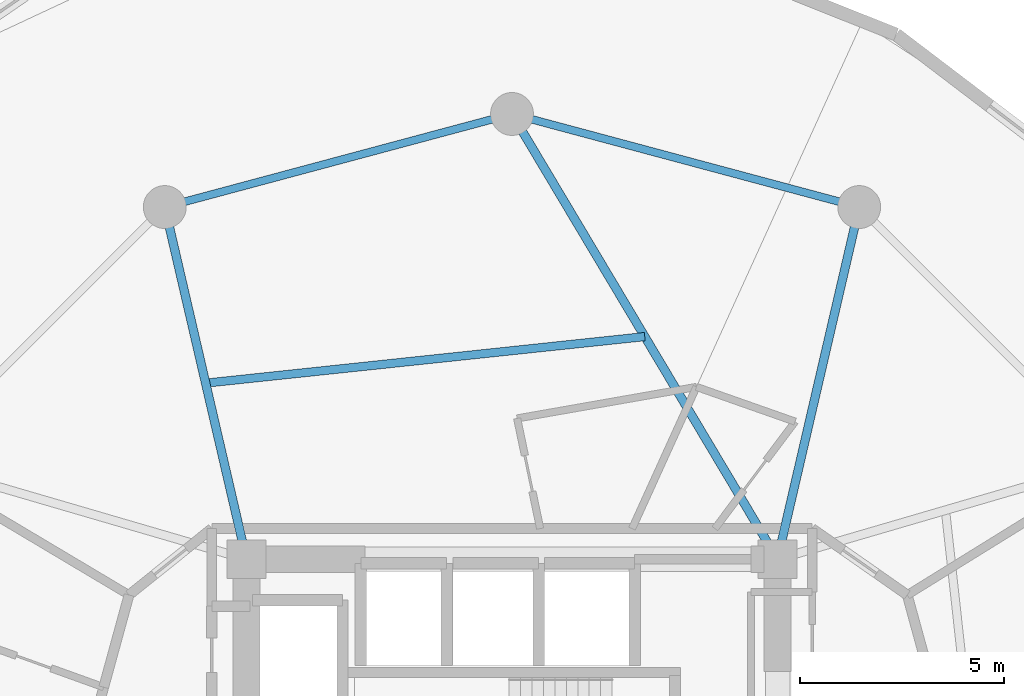
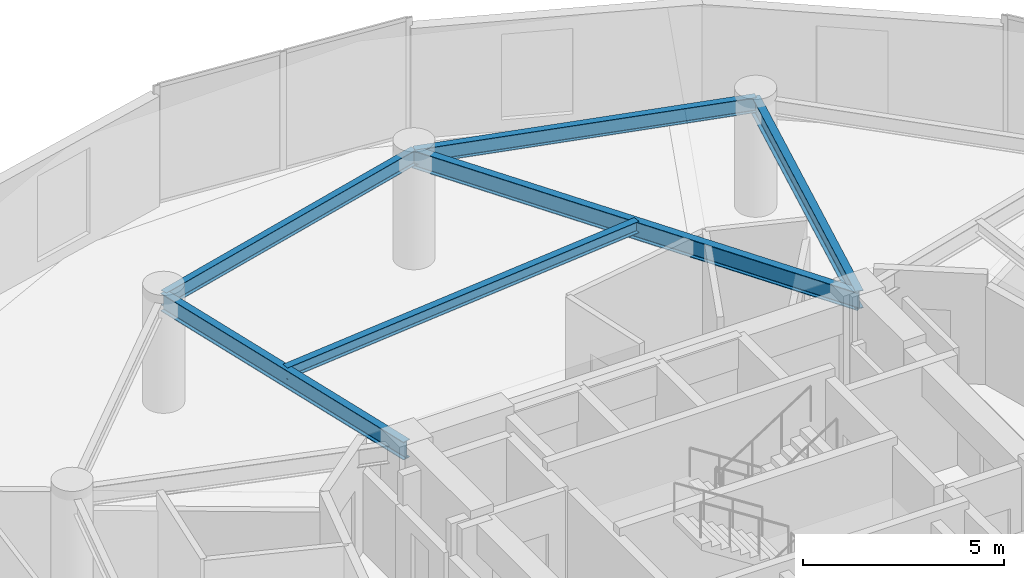
# One storey, part 14 of 22: 6 beams.
"""IFC4 building model written with IfcOpenShell, lengths in metres."""

from ifc_helpers import new_model, si_unit, direction, frame, origin, origin_2d, place, context, subcontext, project, spatial, i_section, extrude, material, material_profile, profile_set, type_object, element, save


model = new_model("IFC4")

# Units and contexts
model_context = context("Model", 3, precision=1e-05, world=origin(), true_north=direction((0.0, 1.0)))
body_context = subcontext(model_context, "Body", "Model", "MODEL_VIEW")
ifc_project = project(units=[si_unit("LENGTHUNIT", "METRE"), si_unit("AREAUNIT", "SQUARE_METRE"), si_unit("VOLUMEUNIT", "CUBIC_METRE"), si_unit("PLANEANGLEUNIT", "RADIAN"), si_unit("MASSUNIT", "GRAM", prefix="KILO")], contexts=[model_context])

# Site, building, storey
site_placement = place(None, origin())
site = spatial("IfcSite", under=ifc_project, at=site_placement, CompositionType="ELEMENT")
building_placement = place(site_placement, origin())
building = spatial("IfcBuilding", under=site, at=building_placement, Name="Solvirekh Grand Hotel", CompositionType="ELEMENT")
storey_placement = place(building_placement, frame((0.0, 0.0, 145.800048828125)))
storey = spatial("IfcBuildingStorey", under=building, at=storey_placement, Name="L37", CompositionType="ELEMENT", Elevation=145.800048828125)

# Beams
ifc_material = material(Name="Steel S355", Category="steel")
ifc_material_profile_1 = material_profile(ifc_material, i_section(OverallWidth=0.2119140625, OverallDepth=0.5439453125, WebThickness=0.011962890625, FlangeThickness=0.01904296875, FilletRadius=0.013916015625, at=origin_2d()), Name="W530X123")
ifc_profile_set_1 = profile_set([ifc_material_profile_1], Name="Steel S355")
beam_type_1 = type_object("IfcBeamType", Name="Beam_Radial_W530H", PredefinedType="BEAM", material=ifc_profile_set_1)
beam_1_placement = place(storey_placement, frame((6.5, 6.10009765625, 3.077880859375), z_axis=(0.225969390542, 0.974134402707, 0.0), x_axis=(-0.974134402707, 0.225969390542, 0.0)))
element("IfcBeam", 1, at=beam_1_placement, inside=storey, type_object=beam_type_1, Name="L37 radial floor beam R03", PredefinedType="BEAM", context=body_context, shape_type="SweptSolid", body=[
    extrude(i_section(OverallWidth=0.2119140625, OverallDepth=0.5439453125, WebThickness=0.011962890625, FlangeThickness=0.01904296875, FilletRadius=0.013916015625, at=origin_2d()), origin(), (0.0, 0.0, 1.0), 8.850830078125),
])
beam_2_placement = place(storey_placement, frame((6.5, 6.10009765625, 3.077880859375), z_axis=(-0.512179721377, 0.858878299301, 0.0), x_axis=(-0.858878299301, -0.512179721377, 0.0)))
element("IfcBeam", 2, at=beam_2_placement, inside=storey, type_object=beam_type_1, Name="L37 radial floor beam R04", PredefinedType="BEAM", context=body_context, shape_type="SweptSolid", body=[
    extrude(i_section(OverallWidth=0.2119140625, OverallDepth=0.5439453125, WebThickness=0.011962890625, FlangeThickness=0.01904296875, FilletRadius=0.013916015625, at=origin_2d()), origin(), (0.0, 0.0, 1.0), 12.69091796875),
])
beam_3_placement = place(storey_placement, frame((-6.5, 6.10009765625, 3.077880859375), z_axis=(-0.225969390542, 0.974134402707, 0.0), x_axis=(-0.974134402707, -0.225969390542, 0.0)))
element("IfcBeam", 3, at=beam_3_placement, inside=storey, type_object=beam_type_1, Name="L37 radial floor beam R05", PredefinedType="BEAM", context=body_context, shape_type="SweptSolid", body=[
    extrude(i_section(OverallWidth=0.2119140625, OverallDepth=0.5439453125, WebThickness=0.011962890625, FlangeThickness=0.01904296875, FilletRadius=0.013916015625, at=origin_2d()), origin(), (0.0, 0.0, 1.0), 8.850830078125),
])
ifc_material_profile_2 = material_profile(ifc_material, i_section(OverallWidth=0.2041015625, OverallDepth=0.35009765625, WebThickness=0.009033203125, FlangeThickness=0.014892578125, FilletRadius=0.010986328125, at=origin_2d()), Name="W360X72")
ifc_profile_set_2 = profile_set([ifc_material_profile_2], Name="Steel S355")
beam_type_2 = type_object("IfcBeamType", Name="Joist_Floor_W360", PredefinedType="JOIST", material=ifc_profile_set_2)
beam_4_placement = place(storey_placement, frame((3.25, 11.550048828125, 3.175048828125), z_axis=(-0.994432198761, -0.105378375714, 0.0), x_axis=(0.105378375714, -0.994432198761, 0.0)))
element("IfcBeam", 4, at=beam_4_placement, inside=storey, type_object=beam_type_2, Name="L37 secondary composite floor joist 4", PredefinedType="JOIST", context=body_context, shape_type="SweptSolid", body=[
    extrude(i_section(OverallWidth=0.2041015625, OverallDepth=0.35009765625, WebThickness=0.009033203125, FlangeThickness=0.014892578125, FilletRadius=0.010986328125, at=origin_2d()), origin(), (0.0, 0.0, 1.0), 10.810302734375),
])
ifc_material_profile_3 = material_profile(ifc_material, i_section(OverallWidth=0.18994140625, OverallDepth=0.45703125, WebThickness=0.009033203125, FlangeThickness=0.013916015625, FilletRadius=0.012939453125, at=origin_2d()), Name="W460X74")
ifc_profile_set_3 = profile_set([ifc_material_profile_3], Name="Steel S355")
beam_type_3 = type_object("IfcBeamType", Name="Spandrel_Ring_W460", PredefinedType="SPANDREL", material=ifc_profile_set_3)
for number, where, z_axis, x_axis, name in (
    (5, (8.5, 14.721923828125, 3.1220703125), (-0.965911391906, 0.258872908946, 0.0), (-0.258872908946, -0.965911391906, 0.0), "L37 perimeter spandrel beam 3"),
    (6, (0.0, 17.0, 3.1220703125), (-0.965911391906, -0.258872908946, 0.0), (0.258872908946, -0.965911391906, 0.0), "L37 perimeter spandrel beam 4"),
):
    element("IfcBeam", number, at=place(storey_placement, frame(where, z_axis=z_axis, x_axis=x_axis)), inside=storey, type_object=beam_type_3, Name=name, PredefinedType="SPANDREL", context=body_context, shape_type="SweptSolid", body=[
        extrude(i_section(OverallWidth=0.18994140625, OverallDepth=0.45703125, WebThickness=0.009033203125, FlangeThickness=0.013916015625, FilletRadius=0.012939453125, at=origin_2d()), origin(), (0.0, 0.0, 1.0), 8.800048828125),
    ])

save(model, "model.ifc")
